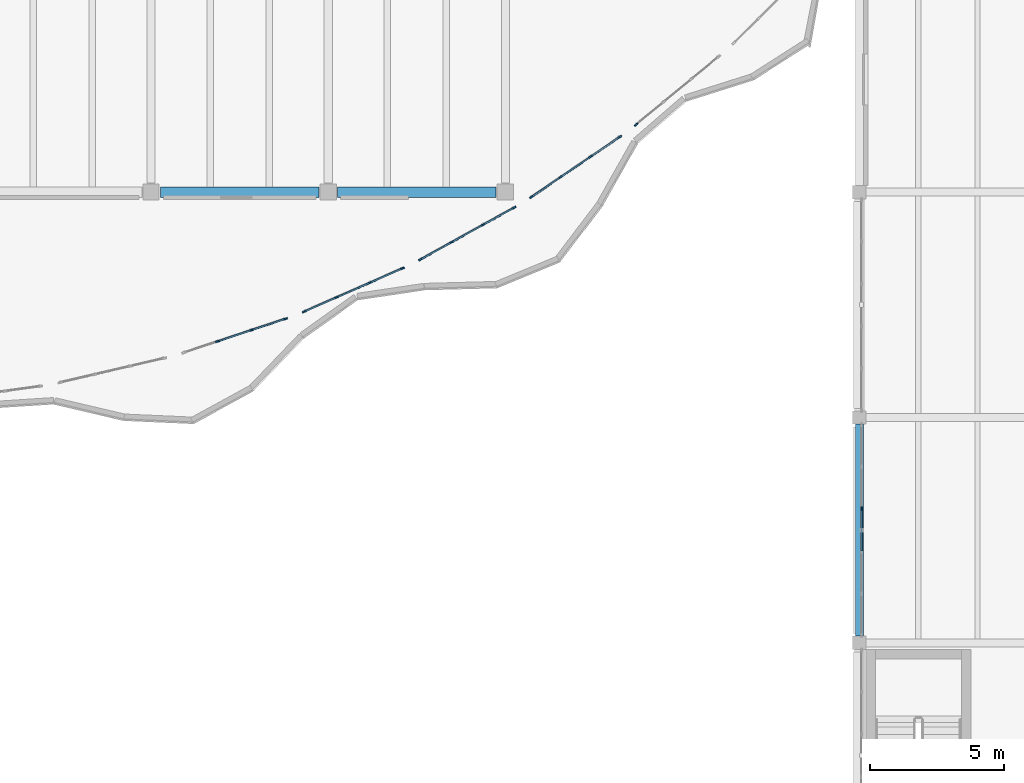
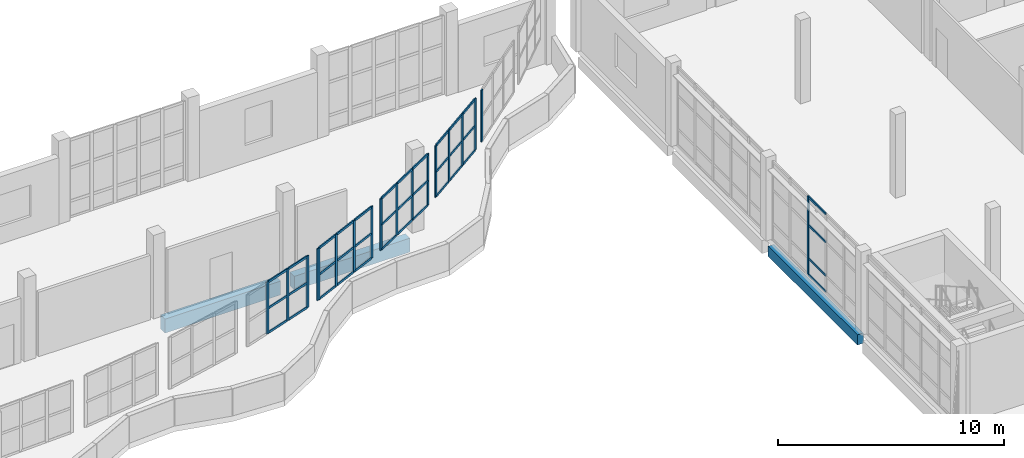
# One storey, part 27 of 76: 54 members, 3 beams, 6 elements without a shape of their own.
"""IFC4 building model written with IfcOpenShell, lengths in metres."""

from ifc_helpers import new_model, si_unit, direction, frame, origin, origin_2d, place, context, subcontext, project, spatial, rectangle, extrude, material, material_profile, profile_set, type_object, element, aggregate, save


model = new_model("IFC4")

# Units and contexts
model_context = context("Model", 3, precision=1e-05, world=origin(), true_north=direction((0.0, 1.0)))
body_context = subcontext(model_context, "Body", "Model", "MODEL_VIEW")
ifc_project = project(units=[si_unit("LENGTHUNIT", "METRE"), si_unit("AREAUNIT", "SQUARE_METRE"), si_unit("VOLUMEUNIT", "CUBIC_METRE"), si_unit("PLANEANGLEUNIT", "RADIAN"), si_unit("MASSUNIT", "GRAM", prefix="KILO")], contexts=[model_context])

# Site, building, storey
site_placement = place(None, origin())
site = spatial("IfcSite", under=ifc_project, at=site_placement, CompositionType="ELEMENT")
building_placement = place(site_placement, origin())
building = spatial("IfcBuilding", under=site, at=building_placement, Name="Qaldarim Faculty of Natural and Applied Sciences", CompositionType="ELEMENT")
storey_placement = place(building_placement, frame((0.0, 0.0, 9.89990234375)))
storey = spatial("IfcBuildingStorey", under=building, at=storey_placement, Name="L02", CompositionType="ELEMENT", Elevation=9.89990234375)

# Beams
ifc_material_1 = material(Name="Concrete C40/50", Category="concrete")
ifc_material_profile_1 = material_profile(ifc_material_1, rectangle(XDim=0.300048828125, YDim=0.550048828125, at=origin_2d()), Name="RC-B300x550")
ifc_profile_set_1 = profile_set([ifc_material_profile_1], Name="Concrete C40/50")
beam_type_1 = type_object("IfcBeamType", Name="FloorBeam-RC300x550", PredefinedType="BEAM", material=ifc_profile_set_1)
beam_placement = place(storey_placement, frame((151.800048828125, 92.64990234375, -0.574951171875), z_axis=(0.0, 1.0, 0.0), x_axis=(-1.0, 0.0, 0.0)))
element("IfcBeam", 1, at=beam_placement, inside=storey, type_object=beam_type_1, Name="Beam RC-B300x550 L01 X24/Y12-Y13", PredefinedType="BEAM", context=body_context, shape_type="SweptSolid", body=[
    extrude(rectangle(XDim=0.300048828125, YDim=0.550048828125, at=origin_2d()), origin(), (0.0, 0.0, 1.0), 7.900146484375),
])
ifc_material_2 = material(Name="Concrete C50/60", Category="concrete")
ifc_material_profile_2 = material_profile(ifc_material_2, rectangle(XDim=0.39990234375, YDim=0.75, at=origin_2d()), Name="RC-B400x750")
ifc_profile_set_2 = profile_set([ifc_material_profile_2], Name="Concrete C50/60")
beam_type_2 = type_object("IfcBeamType", Name="LabGirder-RC400x750", PredefinedType="BEAM", material=ifc_profile_set_2)
for number, where, z_axis, x_axis, name in (
    (2, (125.75, 109.199951171875, -0.6748046875), (1.0, 0.0, 0.0), (0.0, 1.0, 0.0), "Beam RC-B400x750 L01 X20-X21/Y14"),
    (3, (132.35009765625, 109.199951171875, -0.6748046875), (1.0, 0.0, 0.0), (0.0, 1.0, 0.0), "Beam RC-B400x750 L01 X21-X22/Y14"),
):
    element("IfcBeam", number, at=place(storey_placement, frame(where, z_axis=z_axis, x_axis=x_axis)), inside=storey, type_object=beam_type_2, Name=name, PredefinedType="BEAM", context=body_context, shape_type="SweptSolid", body=[
        extrude(rectangle(XDim=0.39990234375, YDim=0.75, at=origin_2d()), origin(), (0.0, 0.0, 1.0), 5.89990234375),
    ])

# Curtain wall, member
ifc_material_3 = material(Name="Anodised aluminium AW-6063", Category="aluminium")
curtain_wall_type_1 = type_object("IfcCurtainWallType", Name="CurtainWallSystem-M1600", PredefinedType="USERDEFINED", material=ifc_material_3)
curtain_wall_1_placement = place(storey_placement, origin())
curtain_wall_1 = element("IfcCurtainWall", 4, at=curtain_wall_1_placement, inside=storey, type_object=curtain_wall_type_1, Name="Curtain wall CW-L02-W-X24Y12", ObjectType="UNITISED FACADE", PredefinedType="USERDEFINED")
ifc_material_profile_3 = material_profile(ifc_material_3, rectangle(XDim=0.06005859375, YDim=0.14990234375, at=origin_2d()), Name="ALU-M60x150")
ifc_profile_set_3 = profile_set([ifc_material_profile_3], Name="Anodised aluminium AW-6063")
member_type_1 = type_object("IfcMemberType", Name="Mullion-ALU60x150", PredefinedType="MULLION", material=ifc_profile_set_3)
member_1_placement = place(storey_placement, frame((151.8798828125, 97.39111328125, 0.0), z_axis=(0.0, 0.0, 1.0), x_axis=(1.0, 0.0, 0.0)))
member_1 = element("IfcMember", 5, at=member_1_placement, type_object=member_type_1, Name="Mullion 3 of CW-L02-W-X24Y12", PredefinedType="MULLION", context=body_context, shape_type="SweptSolid", body=[
    extrude(rectangle(XDim=0.06005859375, YDim=0.14990234375, at=origin_2d()), origin(), (0.0, 0.0, 1.0), 4.239990234375),
])

# Curtain wall, members
curtain_wall_type_2 = type_object("IfcCurtainWallType", Name="CurtainWallSystem-M1400", PredefinedType="USERDEFINED", material=ifc_material_3)
curtain_wall_2_placement = place(storey_placement, origin())
curtain_wall_2 = element("IfcCurtainWall", 6, at=curtain_wall_2_placement, inside=storey, type_object=curtain_wall_type_2, Name="Curtain wall CW-V4ARC-L02-06", ObjectType="STICK CURTAIN WALL", PredefinedType="USERDEFINED")
member_2_placement = place(storey_placement, frame((127.873291015625, 103.63671875, 1.4501953125), z_axis=(0.0, 0.0, 1.0), x_axis=(-0.316592858196, 0.94856152259, 0.0)))
member_2 = element("IfcMember", 7, at=member_2_placement, type_object=member_type_1, Name="Mullion 2 of CW-V4ARC-L02-06", PredefinedType="MULLION", context=body_context, shape_type="SweptSolid", body=[
    extrude(rectangle(XDim=0.06005859375, YDim=0.14990234375, at=origin_2d()), origin(), (0.0, 0.0, 1.0), 2.789794921875),
])
member_3_placement = place(storey_placement, frame((129.151611328125, 104.063232421875, 1.4501953125), z_axis=(0.0, 0.0, 1.0), x_axis=(-0.316592858196, 0.94856152259, 0.0)))
member_3 = element("IfcMember", 8, at=member_3_placement, type_object=member_type_1, Name="Mullion 3 of CW-V4ARC-L02-06", PredefinedType="MULLION", context=body_context, shape_type="SweptSolid", body=[
    extrude(rectangle(XDim=0.06005859375, YDim=0.14990234375, at=origin_2d()), origin(), (0.0, 0.0, 1.0), 2.789794921875),
])
member_4_placement = place(storey_placement, frame((130.401611328125, 104.48046875, 1.4501953125), z_axis=(0.0, 0.0, 1.0), x_axis=(-0.316592858196, 0.94856152259, 0.0)))
member_4 = element("IfcMember", 9, at=member_4_placement, type_object=member_type_1, Name="Mullion 4 of CW-V4ARC-L02-06", PredefinedType="MULLION", context=body_context, shape_type="SweptSolid", body=[
    extrude(rectangle(XDim=0.06005859375, YDim=0.14990234375, at=origin_2d()), origin(), (0.0, 0.0, 1.0), 2.789794921875),
])

curtain_wall_3_placement = place(storey_placement, origin())
curtain_wall_3 = element("IfcCurtainWall", 10, at=curtain_wall_3_placement, inside=storey, type_object=curtain_wall_type_2, Name="Curtain wall CW-V4ARC-L02-08", ObjectType="STICK CURTAIN WALL", PredefinedType="USERDEFINED")
member_5_placement = place(storey_placement, frame((131.112548828125, 104.752197265625, 1.4501953125), z_axis=(0.0, 0.0, 1.0), x_axis=(-0.40269876371, 0.915332565632, 0.0)))
member_5 = element("IfcMember", 11, at=member_5_placement, type_object=member_type_1, Name="Mullion 1 of CW-V4ARC-L02-08", PredefinedType="MULLION", context=body_context, shape_type="SweptSolid", body=[
    extrude(rectangle(XDim=0.06005859375, YDim=0.14990234375, at=origin_2d()), origin(), (0.0, 0.0, 1.0), 2.789794921875),
])
member_6_placement = place(storey_placement, frame((132.320068359375, 105.283203125, 1.4501953125), z_axis=(0.0, 0.0, 1.0), x_axis=(-0.40269876371, 0.915332565632, 0.0)))
member_6 = element("IfcMember", 12, at=member_6_placement, type_object=member_type_1, Name="Mullion 2 of CW-V4ARC-L02-08", PredefinedType="MULLION", context=body_context, shape_type="SweptSolid", body=[
    extrude(rectangle(XDim=0.06005859375, YDim=0.14990234375, at=origin_2d()), origin(), (0.0, 0.0, 1.0), 2.789794921875),
])
member_7_placement = place(storey_placement, frame((133.554931640625, 105.82666015625, 1.4501953125), z_axis=(0.0, 0.0, 1.0), x_axis=(-0.40269876371, 0.915332565632, 0.0)))
member_7 = element("IfcMember", 13, at=member_7_placement, type_object=member_type_1, Name="Mullion 3 of CW-V4ARC-L02-08", PredefinedType="MULLION", context=body_context, shape_type="SweptSolid", body=[
    extrude(rectangle(XDim=0.06005859375, YDim=0.14990234375, at=origin_2d()), origin(), (0.0, 0.0, 1.0), 2.789794921875),
])
member_8_placement = place(storey_placement, frame((134.762451171875, 106.35791015625, 1.4501953125), z_axis=(0.0, 0.0, 1.0), x_axis=(-0.40269876371, 0.915332565632, 0.0)))
member_8 = element("IfcMember", 14, at=member_8_placement, type_object=member_type_1, Name="Mullion 4 of CW-V4ARC-L02-08", PredefinedType="MULLION", context=body_context, shape_type="SweptSolid", body=[
    extrude(rectangle(XDim=0.06005859375, YDim=0.14990234375, at=origin_2d()), origin(), (0.0, 0.0, 1.0), 2.789794921875),
])

curtain_wall_4_placement = place(storey_placement, origin())
curtain_wall_4 = element("IfcCurtainWall", 15, at=curtain_wall_4_placement, inside=storey, type_object=curtain_wall_type_2, Name="Curtain wall CW-V4ARC-L02-10", ObjectType="STICK CURTAIN WALL", PredefinedType="USERDEFINED")
member_9_placement = place(storey_placement, frame((135.441162109375, 106.694580078125, 1.4501953125), z_axis=(0.0, 0.0, 1.0), x_axis=(-0.484382142552, 0.874856525367, 0.0)))
member_9 = element("IfcMember", 16, at=member_9_placement, type_object=member_type_1, Name="Mullion 1 of CW-V4ARC-L02-10", PredefinedType="MULLION", context=body_context, shape_type="SweptSolid", body=[
    extrude(rectangle(XDim=0.06005859375, YDim=0.14990234375, at=origin_2d()), origin(), (0.0, 0.0, 1.0), 2.789794921875),
])
member_10_placement = place(storey_placement, frame((136.594970703125, 107.333251953125, 1.4501953125), z_axis=(0.0, 0.0, 1.0), x_axis=(-0.484382142552, 0.874856525367, 0.0)))
member_10 = element("IfcMember", 17, at=member_10_placement, type_object=member_type_1, Name="Mullion 2 of CW-V4ARC-L02-10", PredefinedType="MULLION", context=body_context, shape_type="SweptSolid", body=[
    extrude(rectangle(XDim=0.06005859375, YDim=0.14990234375, at=origin_2d()), origin(), (0.0, 0.0, 1.0), 2.789794921875),
])
member_11_placement = place(storey_placement, frame((137.77490234375, 107.98681640625, 1.4501953125), z_axis=(0.0, 0.0, 1.0), x_axis=(-0.484382142552, 0.874856525367, 0.0)))
member_11 = element("IfcMember", 18, at=member_11_placement, type_object=member_type_1, Name="Mullion 3 of CW-V4ARC-L02-10", PredefinedType="MULLION", context=body_context, shape_type="SweptSolid", body=[
    extrude(rectangle(XDim=0.06005859375, YDim=0.14990234375, at=origin_2d()), origin(), (0.0, 0.0, 1.0), 2.789794921875),
])
member_12_placement = place(storey_placement, frame((138.9287109375, 108.62548828125, 1.4501953125), z_axis=(0.0, 0.0, 1.0), x_axis=(-0.484382142552, 0.874856525367, 0.0)))
member_12 = element("IfcMember", 19, at=member_12_placement, type_object=member_type_1, Name="Mullion 4 of CW-V4ARC-L02-10", PredefinedType="MULLION", context=body_context, shape_type="SweptSolid", body=[
    extrude(rectangle(XDim=0.06005859375, YDim=0.14990234375, at=origin_2d()), origin(), (0.0, 0.0, 1.0), 2.789794921875),
])

curtain_wall_5_placement = place(storey_placement, origin())
curtain_wall_5 = element("IfcCurtainWall", 20, at=curtain_wall_5_placement, inside=storey, type_object=curtain_wall_type_2, Name="Curtain wall CW-V4ARC-L02-12", ObjectType="STICK CURTAIN WALL", PredefinedType="USERDEFINED")
member_13_placement = place(storey_placement, frame((139.57470703125, 109.02197265625, 1.4501953125), z_axis=(0.0, 0.0, 1.0), x_axis=(-0.562372049186, 0.826884319778, 0.0)))
member_13 = element("IfcMember", 21, at=member_13_placement, type_object=member_type_1, Name="Mullion 1 of CW-V4ARC-L02-12", PredefinedType="MULLION", context=body_context, shape_type="SweptSolid", body=[
    extrude(rectangle(XDim=0.06005859375, YDim=0.14990234375, at=origin_2d()), origin(), (0.0, 0.0, 1.0), 2.789794921875),
])
member_14_placement = place(storey_placement, frame((140.6650390625, 109.76318359375, 1.4501953125), z_axis=(0.0, 0.0, 1.0), x_axis=(-0.562372049186, 0.826884319778, 0.0)))
member_14 = element("IfcMember", 22, at=member_14_placement, type_object=member_type_1, Name="Mullion 2 of CW-V4ARC-L02-12", PredefinedType="MULLION", context=body_context, shape_type="SweptSolid", body=[
    extrude(rectangle(XDim=0.06005859375, YDim=0.14990234375, at=origin_2d()), origin(), (0.0, 0.0, 1.0), 2.789794921875),
])
member_15_placement = place(storey_placement, frame((141.780029296875, 110.521728515625, 1.4501953125), z_axis=(0.0, 0.0, 1.0), x_axis=(-0.562372049186, 0.826884319778, 0.0)))
member_15 = element("IfcMember", 23, at=member_15_placement, type_object=member_type_1, Name="Mullion 3 of CW-V4ARC-L02-12", PredefinedType="MULLION", context=body_context, shape_type="SweptSolid", body=[
    extrude(rectangle(XDim=0.06005859375, YDim=0.14990234375, at=origin_2d()), origin(), (0.0, 0.0, 1.0), 2.789794921875),
])
member_16_placement = place(storey_placement, frame((142.8701171875, 111.26318359375, 1.4501953125), z_axis=(0.0, 0.0, 1.0), x_axis=(-0.562372049186, 0.826884319778, 0.0)))
member_16 = element("IfcMember", 24, at=member_16_placement, type_object=member_type_1, Name="Mullion 4 of CW-V4ARC-L02-12", PredefinedType="MULLION", context=body_context, shape_type="SweptSolid", body=[
    extrude(rectangle(XDim=0.06005859375, YDim=0.14990234375, at=origin_2d()), origin(), (0.0, 0.0, 1.0), 2.789794921875),
])

# Curtain wall, member
curtain_wall_6_placement = place(storey_placement, origin())
curtain_wall_6 = element("IfcCurtainWall", 25, at=curtain_wall_6_placement, inside=storey, type_object=curtain_wall_type_2, Name="Curtain wall CW-V4ARC-L02-14", ObjectType="STICK CURTAIN WALL", PredefinedType="USERDEFINED")
member_17_placement = place(storey_placement, frame((143.478271484375, 111.718994140625, 1.4501953125), z_axis=(0.0, 0.0, 1.0), x_axis=(-0.635930067271, 0.771746687418, 0.0)))
member_17 = element("IfcMember", 26, at=member_17_placement, type_object=member_type_1, Name="Mullion 1 of CW-V4ARC-L02-14", PredefinedType="MULLION", context=body_context, shape_type="SweptSolid", body=[
    extrude(rectangle(XDim=0.06005859375, YDim=0.14990234375, at=origin_2d()), origin(), (0.0, 0.0, 1.0), 2.789794921875),
])
aggregate(curtain_wall_6, [member_17])

# Member
ifc_material_profile_4 = material_profile(ifc_material_3, rectangle(XDim=0.06005859375, YDim=0.1201171875, at=origin_2d()), Name="ALU-T60x120")
ifc_profile_set_4 = profile_set([ifc_material_profile_4], Name="Anodised aluminium AW-6063")
member_type_2 = type_object("IfcMemberType", Name="Transom-ALU60x120", PredefinedType="USERDEFINED", material=ifc_profile_set_4)
member_18_placement = place(storey_placement, frame((151.8798828125, 97.361083984375, 0.030029296875), z_axis=(0.0, -1.0, 0.0), x_axis=(1.0, 0.0, 0.0)))
member_18 = element("IfcMember", 27, at=member_18_placement, type_object=member_type_2, Name="Transom 3-1 of CW-L02-W-X24Y12", ObjectType="TRANSOM", PredefinedType="USERDEFINED", context=body_context, shape_type="SweptSolid", body=[
    extrude(rectangle(XDim=0.06005859375, YDim=0.1201171875, at=origin_2d()), origin(), (0.0, 0.0, 1.0), 1.52197265625),
])

member_19_placement = place(storey_placement, frame((151.8798828125, 97.361083984375, 0.900146484375), z_axis=(0.0, -1.0, 0.0), x_axis=(1.0, 0.0, 0.0)))
member_19 = element("IfcMember", 28, at=member_19_placement, type_object=member_type_2, Name="Transom 3-2 of CW-L02-W-X24Y12", ObjectType="TRANSOM", PredefinedType="USERDEFINED", context=body_context, shape_type="SweptSolid", body=[
    extrude(rectangle(XDim=0.06005859375, YDim=0.1201171875, at=origin_2d()), origin(), (0.0, 0.0, 1.0), 1.52197265625),
])

member_20_placement = place(storey_placement, frame((151.8798828125, 97.361083984375, 2.7001953125), z_axis=(0.0, -1.0, 0.0), x_axis=(1.0, 0.0, 0.0)))
member_20 = element("IfcMember", 29, at=member_20_placement, type_object=member_type_2, Name="Transom 3-3 of CW-L02-W-X24Y12", ObjectType="TRANSOM", PredefinedType="USERDEFINED", context=body_context, shape_type="SweptSolid", body=[
    extrude(rectangle(XDim=0.06005859375, YDim=0.1201171875, at=origin_2d()), origin(), (0.0, 0.0, 1.0), 1.52197265625),
])

member_21_placement = place(storey_placement, frame((151.8798828125, 97.361083984375, 4.210205078125), z_axis=(0.0, -1.0, 0.0), x_axis=(1.0, 0.0, 0.0)))
member_21 = element("IfcMember", 30, at=member_21_placement, type_object=member_type_2, Name="Transom 3-4 of CW-L02-W-X24Y12", ObjectType="TRANSOM", PredefinedType="USERDEFINED", context=body_context, shape_type="SweptSolid", body=[
    extrude(rectangle(XDim=0.06005859375, YDim=0.1201171875, at=origin_2d()), origin(), (0.0, 0.0, 1.0), 1.52197265625),
])

aggregate(curtain_wall_1, [member_1, member_18, member_19, member_20, member_21])

member_22_placement = place(storey_placement, frame((127.90185546875, 103.646240234375, 1.47998046875), z_axis=(0.948607427677, 0.316455286187, 0.0), x_axis=(-0.316455286187, 0.948607427677, 0.0)))
member_22 = element("IfcMember", 31, at=member_22_placement, type_object=member_type_2, Name="Transom 2-1 of CW-V4ARC-L02-06", ObjectType="TRANSOM", PredefinedType="USERDEFINED", context=body_context, shape_type="SweptSolid", body=[
    extrude(rectangle(XDim=0.06005859375, YDim=0.1201171875, at=origin_2d()), origin(), (0.0, 0.0, 1.0), 1.28759765625),
])

member_23_placement = place(storey_placement, frame((127.90185546875, 103.646240234375, 2.800048828125), z_axis=(0.948607427677, 0.316455286187, 0.0), x_axis=(-0.316455286187, 0.948607427677, 0.0)))
member_23 = element("IfcMember", 32, at=member_23_placement, type_object=member_type_2, Name="Transom 2-2 of CW-V4ARC-L02-06", ObjectType="TRANSOM", PredefinedType="USERDEFINED", context=body_context, shape_type="SweptSolid", body=[
    extrude(rectangle(XDim=0.06005859375, YDim=0.1201171875, at=origin_2d()), origin(), (0.0, 0.0, 1.0), 1.28759765625),
])

member_24_placement = place(storey_placement, frame((127.90185546875, 103.646240234375, 4.210205078125), z_axis=(0.948607427677, 0.316455286187, 0.0), x_axis=(-0.316455286187, 0.948607427677, 0.0)))
member_24 = element("IfcMember", 33, at=member_24_placement, type_object=member_type_2, Name="Transom 2-3 of CW-V4ARC-L02-06", ObjectType="TRANSOM", PredefinedType="USERDEFINED", context=body_context, shape_type="SweptSolid", body=[
    extrude(rectangle(XDim=0.06005859375, YDim=0.1201171875, at=origin_2d()), origin(), (0.0, 0.0, 1.0), 1.28759765625),
])

member_25_placement = place(storey_placement, frame((129.18017578125, 104.07275390625, 1.47998046875), z_axis=(0.948547315421, 0.31663542191, 0.0), x_axis=(-0.31663542191, 0.948547315421, 0.0)))
member_25 = element("IfcMember", 34, at=member_25_placement, type_object=member_type_2, Name="Transom 3-1 of CW-V4ARC-L02-06", ObjectType="TRANSOM", PredefinedType="USERDEFINED", context=body_context, shape_type="SweptSolid", body=[
    extrude(rectangle(XDim=0.06005859375, YDim=0.1201171875, at=origin_2d()), origin(), (0.0, 0.0, 1.0), 1.257568359375),
])

member_26_placement = place(storey_placement, frame((129.18017578125, 104.07275390625, 2.800048828125), z_axis=(0.948547315421, 0.31663542191, 0.0), x_axis=(-0.31663542191, 0.948547315421, 0.0)))
member_26 = element("IfcMember", 35, at=member_26_placement, type_object=member_type_2, Name="Transom 3-2 of CW-V4ARC-L02-06", ObjectType="TRANSOM", PredefinedType="USERDEFINED", context=body_context, shape_type="SweptSolid", body=[
    extrude(rectangle(XDim=0.06005859375, YDim=0.1201171875, at=origin_2d()), origin(), (0.0, 0.0, 1.0), 1.257568359375),
])

member_27_placement = place(storey_placement, frame((129.18017578125, 104.07275390625, 4.210205078125), z_axis=(0.948547315421, 0.31663542191, 0.0), x_axis=(-0.31663542191, 0.948547315421, 0.0)))
member_27 = element("IfcMember", 36, at=member_27_placement, type_object=member_type_2, Name="Transom 3-3 of CW-V4ARC-L02-06", ObjectType="TRANSOM", PredefinedType="USERDEFINED", context=body_context, shape_type="SweptSolid", body=[
    extrude(rectangle(XDim=0.06005859375, YDim=0.1201171875, at=origin_2d()), origin(), (0.0, 0.0, 1.0), 1.257568359375),
])

aggregate(curtain_wall_2, [member_2, member_3, member_4, member_22, member_23, member_24, member_25, member_26, member_27])

member_28_placement = place(storey_placement, frame((131.139892578125, 104.76416015625, 1.47998046875), z_axis=(0.915332184978, 0.402699628934, 0.0), x_axis=(-0.402699628934, 0.915332184978, 0.0)))
member_28 = element("IfcMember", 37, at=member_28_placement, type_object=member_type_2, Name="Transom 1-1 of CW-V4ARC-L02-08", ObjectType="TRANSOM", PredefinedType="USERDEFINED", context=body_context, shape_type="SweptSolid", body=[
    extrude(rectangle(XDim=0.06005859375, YDim=0.1201171875, at=origin_2d()), origin(), (0.0, 0.0, 1.0), 1.25927734375),
])

member_29_placement = place(storey_placement, frame((131.139892578125, 104.76416015625, 2.800048828125), z_axis=(0.915332184978, 0.402699628934, 0.0), x_axis=(-0.402699628934, 0.915332184978, 0.0)))
member_29 = element("IfcMember", 38, at=member_29_placement, type_object=member_type_2, Name="Transom 1-2 of CW-V4ARC-L02-08", ObjectType="TRANSOM", PredefinedType="USERDEFINED", context=body_context, shape_type="SweptSolid", body=[
    extrude(rectangle(XDim=0.06005859375, YDim=0.1201171875, at=origin_2d()), origin(), (0.0, 0.0, 1.0), 1.25927734375),
])

member_30_placement = place(storey_placement, frame((131.139892578125, 104.76416015625, 4.210205078125), z_axis=(0.915332184978, 0.402699628934, 0.0), x_axis=(-0.402699628934, 0.915332184978, 0.0)))
member_30 = element("IfcMember", 39, at=member_30_placement, type_object=member_type_2, Name="Transom 1-3 of CW-V4ARC-L02-08", ObjectType="TRANSOM", PredefinedType="USERDEFINED", context=body_context, shape_type="SweptSolid", body=[
    extrude(rectangle(XDim=0.06005859375, YDim=0.1201171875, at=origin_2d()), origin(), (0.0, 0.0, 1.0), 1.25927734375),
])

member_31_placement = place(storey_placement, frame((132.347412109375, 105.29541015625, 1.47998046875), z_axis=(0.915312240394, 0.402744959726, 0.0), x_axis=(-0.402744959726, 0.915312240394, 0.0)))
member_31 = element("IfcMember", 40, at=member_31_placement, type_object=member_type_2, Name="Transom 2-1 of CW-V4ARC-L02-08", ObjectType="TRANSOM", PredefinedType="USERDEFINED", context=body_context, shape_type="SweptSolid", body=[
    extrude(rectangle(XDim=0.06005859375, YDim=0.1201171875, at=origin_2d()), origin(), (0.0, 0.0, 1.0), 1.289306640625),
])

member_32_placement = place(storey_placement, frame((132.347412109375, 105.29541015625, 2.800048828125), z_axis=(0.915312240394, 0.402744959726, 0.0), x_axis=(-0.402744959726, 0.915312240394, 0.0)))
member_32 = element("IfcMember", 41, at=member_32_placement, type_object=member_type_2, Name="Transom 2-2 of CW-V4ARC-L02-08", ObjectType="TRANSOM", PredefinedType="USERDEFINED", context=body_context, shape_type="SweptSolid", body=[
    extrude(rectangle(XDim=0.06005859375, YDim=0.1201171875, at=origin_2d()), origin(), (0.0, 0.0, 1.0), 1.289306640625),
])

member_33_placement = place(storey_placement, frame((132.347412109375, 105.29541015625, 4.210205078125), z_axis=(0.915312240394, 0.402744959726, 0.0), x_axis=(-0.402744959726, 0.915312240394, 0.0)))
member_33 = element("IfcMember", 42, at=member_33_placement, type_object=member_type_2, Name="Transom 2-3 of CW-V4ARC-L02-08", ObjectType="TRANSOM", PredefinedType="USERDEFINED", context=body_context, shape_type="SweptSolid", body=[
    extrude(rectangle(XDim=0.06005859375, YDim=0.1201171875, at=origin_2d()), origin(), (0.0, 0.0, 1.0), 1.289306640625),
])

member_34_placement = place(storey_placement, frame((133.58251953125, 105.838623046875, 1.47998046875), z_axis=(0.915332184978, 0.402699628934, 0.0), x_axis=(-0.402699628934, 0.915332184978, 0.0)))
member_34 = element("IfcMember", 43, at=member_34_placement, type_object=member_type_2, Name="Transom 3-1 of CW-V4ARC-L02-08", ObjectType="TRANSOM", PredefinedType="USERDEFINED", context=body_context, shape_type="SweptSolid", body=[
    extrude(rectangle(XDim=0.06005859375, YDim=0.1201171875, at=origin_2d()), origin(), (0.0, 0.0, 1.0), 1.25927734375),
])

member_35_placement = place(storey_placement, frame((133.58251953125, 105.838623046875, 2.800048828125), z_axis=(0.915332184978, 0.402699628934, 0.0), x_axis=(-0.402699628934, 0.915332184978, 0.0)))
member_35 = element("IfcMember", 44, at=member_35_placement, type_object=member_type_2, Name="Transom 3-2 of CW-V4ARC-L02-08", ObjectType="TRANSOM", PredefinedType="USERDEFINED", context=body_context, shape_type="SweptSolid", body=[
    extrude(rectangle(XDim=0.06005859375, YDim=0.1201171875, at=origin_2d()), origin(), (0.0, 0.0, 1.0), 1.25927734375),
])

member_36_placement = place(storey_placement, frame((133.58251953125, 105.838623046875, 4.210205078125), z_axis=(0.915332184978, 0.402699628934, 0.0), x_axis=(-0.402699628934, 0.915332184978, 0.0)))
member_36 = element("IfcMember", 45, at=member_36_placement, type_object=member_type_2, Name="Transom 3-3 of CW-V4ARC-L02-08", ObjectType="TRANSOM", PredefinedType="USERDEFINED", context=body_context, shape_type="SweptSolid", body=[
    extrude(rectangle(XDim=0.06005859375, YDim=0.1201171875, at=origin_2d()), origin(), (0.0, 0.0, 1.0), 1.25927734375),
])

aggregate(curtain_wall_3, [member_5, member_6, member_7, member_8, member_28, member_29, member_30, member_31, member_32, member_33, member_34, member_35, member_36])

member_37_placement = place(storey_placement, frame((135.467529296875, 106.708984375, 1.47998046875), z_axis=(0.874824232123, 0.484440463721, 0.0), x_axis=(-0.484440463721, 0.874824232123, 0.0)))
member_37 = element("IfcMember", 46, at=member_37_placement, type_object=member_type_2, Name="Transom 1-1 of CW-V4ARC-L02-10", ObjectType="TRANSOM", PredefinedType="USERDEFINED", context=body_context, shape_type="SweptSolid", body=[
    extrude(rectangle(XDim=0.06005859375, YDim=0.1201171875, at=origin_2d()), origin(), (0.0, 0.0, 1.0), 1.2587890625),
])

member_38_placement = place(storey_placement, frame((135.467529296875, 106.708984375, 2.800048828125), z_axis=(0.874824232123, 0.484440463721, 0.0), x_axis=(-0.484440463721, 0.874824232123, 0.0)))
member_38 = element("IfcMember", 47, at=member_38_placement, type_object=member_type_2, Name="Transom 1-2 of CW-V4ARC-L02-10", ObjectType="TRANSOM", PredefinedType="USERDEFINED", context=body_context, shape_type="SweptSolid", body=[
    extrude(rectangle(XDim=0.06005859375, YDim=0.1201171875, at=origin_2d()), origin(), (0.0, 0.0, 1.0), 1.2587890625),
])

member_39_placement = place(storey_placement, frame((135.467529296875, 106.708984375, 4.210205078125), z_axis=(0.874824232123, 0.484440463721, 0.0), x_axis=(-0.484440463721, 0.874824232123, 0.0)))
member_39 = element("IfcMember", 48, at=member_39_placement, type_object=member_type_2, Name="Transom 1-3 of CW-V4ARC-L02-10", ObjectType="TRANSOM", PredefinedType="USERDEFINED", context=body_context, shape_type="SweptSolid", body=[
    extrude(rectangle(XDim=0.06005859375, YDim=0.1201171875, at=origin_2d()), origin(), (0.0, 0.0, 1.0), 1.2587890625),
])

member_40_placement = place(storey_placement, frame((136.62109375, 107.347900390625, 1.47998046875), z_axis=(0.874888908456, 0.484323649908, 0.0), x_axis=(-0.484323649908, 0.874888908456, 0.0)))
member_40 = element("IfcMember", 49, at=member_40_placement, type_object=member_type_2, Name="Transom 2-1 of CW-V4ARC-L02-10", ObjectType="TRANSOM", PredefinedType="USERDEFINED", context=body_context, shape_type="SweptSolid", body=[
    extrude(rectangle(XDim=0.06005859375, YDim=0.1201171875, at=origin_2d()), origin(), (0.0, 0.0, 1.0), 1.2890625),
])

member_41_placement = place(storey_placement, frame((136.62109375, 107.347900390625, 2.800048828125), z_axis=(0.874888908456, 0.484323649908, 0.0), x_axis=(-0.484323649908, 0.874888908456, 0.0)))
member_41 = element("IfcMember", 50, at=member_41_placement, type_object=member_type_2, Name="Transom 2-2 of CW-V4ARC-L02-10", ObjectType="TRANSOM", PredefinedType="USERDEFINED", context=body_context, shape_type="SweptSolid", body=[
    extrude(rectangle(XDim=0.06005859375, YDim=0.1201171875, at=origin_2d()), origin(), (0.0, 0.0, 1.0), 1.2890625),
])

member_42_placement = place(storey_placement, frame((136.62109375, 107.347900390625, 4.210205078125), z_axis=(0.874888908456, 0.484323649908, 0.0), x_axis=(-0.484323649908, 0.874888908456, 0.0)))
member_42 = element("IfcMember", 51, at=member_42_placement, type_object=member_type_2, Name="Transom 2-3 of CW-V4ARC-L02-10", ObjectType="TRANSOM", PredefinedType="USERDEFINED", context=body_context, shape_type="SweptSolid", body=[
    extrude(rectangle(XDim=0.06005859375, YDim=0.1201171875, at=origin_2d()), origin(), (0.0, 0.0, 1.0), 1.2890625),
])

member_43_placement = place(storey_placement, frame((137.80126953125, 108.001220703125, 1.47998046875), z_axis=(0.874906415399, 0.484292023776, 0.0), x_axis=(-0.484292023776, 0.874906415399, 0.0)))
member_43 = element("IfcMember", 52, at=member_43_placement, type_object=member_type_2, Name="Transom 3-1 of CW-V4ARC-L02-10", ObjectType="TRANSOM", PredefinedType="USERDEFINED", context=body_context, shape_type="SweptSolid", body=[
    extrude(rectangle(XDim=0.06005859375, YDim=0.1201171875, at=origin_2d()), origin(), (0.0, 0.0, 1.0), 1.2587890625),
])

member_44_placement = place(storey_placement, frame((137.80126953125, 108.001220703125, 2.800048828125), z_axis=(0.874906415399, 0.484292023776, 0.0), x_axis=(-0.484292023776, 0.874906415399, 0.0)))
member_44 = element("IfcMember", 53, at=member_44_placement, type_object=member_type_2, Name="Transom 3-2 of CW-V4ARC-L02-10", ObjectType="TRANSOM", PredefinedType="USERDEFINED", context=body_context, shape_type="SweptSolid", body=[
    extrude(rectangle(XDim=0.06005859375, YDim=0.1201171875, at=origin_2d()), origin(), (0.0, 0.0, 1.0), 1.2587890625),
])

member_45_placement = place(storey_placement, frame((137.80126953125, 108.001220703125, 4.210205078125), z_axis=(0.874906415399, 0.484292023776, 0.0), x_axis=(-0.484292023776, 0.874906415399, 0.0)))
member_45 = element("IfcMember", 54, at=member_45_placement, type_object=member_type_2, Name="Transom 3-3 of CW-V4ARC-L02-10", ObjectType="TRANSOM", PredefinedType="USERDEFINED", context=body_context, shape_type="SweptSolid", body=[
    extrude(rectangle(XDim=0.06005859375, YDim=0.1201171875, at=origin_2d()), origin(), (0.0, 0.0, 1.0), 1.2587890625),
])

aggregate(curtain_wall_4, [member_9, member_10, member_11, member_12, member_37, member_38, member_39, member_40, member_41, member_42, member_43, member_44, member_45])

member_46_placement = place(storey_placement, frame((139.599609375, 109.038818359375, 1.47998046875), z_axis=(0.826850717862, 0.562421452624, 0.0), x_axis=(-0.562421452624, 0.826850717862, 0.0)))
member_46 = element("IfcMember", 55, at=member_46_placement, type_object=member_type_2, Name="Transom 1-1 of CW-V4ARC-L02-12", ObjectType="TRANSOM", PredefinedType="USERDEFINED", context=body_context, shape_type="SweptSolid", body=[
    extrude(rectangle(XDim=0.06005859375, YDim=0.1201171875, at=origin_2d()), origin(), (0.0, 0.0, 1.0), 1.25830078125),
])

member_47_placement = place(storey_placement, frame((139.599609375, 109.038818359375, 2.800048828125), z_axis=(0.826850717862, 0.562421452624, 0.0), x_axis=(-0.562421452624, 0.826850717862, 0.0)))
member_47 = element("IfcMember", 56, at=member_47_placement, type_object=member_type_2, Name="Transom 1-2 of CW-V4ARC-L02-12", ObjectType="TRANSOM", PredefinedType="USERDEFINED", context=body_context, shape_type="SweptSolid", body=[
    extrude(rectangle(XDim=0.06005859375, YDim=0.1201171875, at=origin_2d()), origin(), (0.0, 0.0, 1.0), 1.25830078125),
])

member_48_placement = place(storey_placement, frame((139.599609375, 109.038818359375, 4.210205078125), z_axis=(0.826850717862, 0.562421452624, 0.0), x_axis=(-0.562421452624, 0.826850717862, 0.0)))
member_48 = element("IfcMember", 57, at=member_48_placement, type_object=member_type_2, Name="Transom 1-3 of CW-V4ARC-L02-12", ObjectType="TRANSOM", PredefinedType="USERDEFINED", context=body_context, shape_type="SweptSolid", body=[
    extrude(rectangle(XDim=0.06005859375, YDim=0.1201171875, at=origin_2d()), origin(), (0.0, 0.0, 1.0), 1.25830078125),
])

member_49_placement = place(storey_placement, frame((140.689697265625, 109.7802734375, 1.47998046875), z_axis=(0.826884209123, 0.562372211887, 0.0), x_axis=(-0.562372211887, 0.826884209123, 0.0)))
member_49 = element("IfcMember", 58, at=member_49_placement, type_object=member_type_2, Name="Transom 2-1 of CW-V4ARC-L02-12", ObjectType="TRANSOM", PredefinedType="USERDEFINED", context=body_context, shape_type="SweptSolid", body=[
    extrude(rectangle(XDim=0.06005859375, YDim=0.1201171875, at=origin_2d()), origin(), (0.0, 0.0, 1.0), 1.28857421875),
])

member_50_placement = place(storey_placement, frame((140.689697265625, 109.7802734375, 2.800048828125), z_axis=(0.826884209123, 0.562372211887, 0.0), x_axis=(-0.562372211887, 0.826884209123, 0.0)))
member_50 = element("IfcMember", 59, at=member_50_placement, type_object=member_type_2, Name="Transom 2-2 of CW-V4ARC-L02-12", ObjectType="TRANSOM", PredefinedType="USERDEFINED", context=body_context, shape_type="SweptSolid", body=[
    extrude(rectangle(XDim=0.06005859375, YDim=0.1201171875, at=origin_2d()), origin(), (0.0, 0.0, 1.0), 1.28857421875),
])

member_51_placement = place(storey_placement, frame((140.689697265625, 109.7802734375, 4.210205078125), z_axis=(0.826884209123, 0.562372211887, 0.0), x_axis=(-0.562372211887, 0.826884209123, 0.0)))
member_51 = element("IfcMember", 60, at=member_51_placement, type_object=member_type_2, Name="Transom 2-3 of CW-V4ARC-L02-12", ObjectType="TRANSOM", PredefinedType="USERDEFINED", context=body_context, shape_type="SweptSolid", body=[
    extrude(rectangle(XDim=0.06005859375, YDim=0.1201171875, at=origin_2d()), origin(), (0.0, 0.0, 1.0), 1.28857421875),
])

member_52_placement = place(storey_placement, frame((141.8046875, 110.53857421875, 1.47998046875), z_axis=(0.826912070455, 0.562331243784, 0.0), x_axis=(-0.562331243784, 0.826912070455, 0.0)))
member_52 = element("IfcMember", 61, at=member_52_placement, type_object=member_type_2, Name="Transom 3-1 of CW-V4ARC-L02-12", ObjectType="TRANSOM", PredefinedType="USERDEFINED", context=body_context, shape_type="SweptSolid", body=[
    extrude(rectangle(XDim=0.06005859375, YDim=0.1201171875, at=origin_2d()), origin(), (0.0, 0.0, 1.0), 1.258544921875),
])

member_53_placement = place(storey_placement, frame((141.8046875, 110.53857421875, 2.800048828125), z_axis=(0.826912070455, 0.562331243784, 0.0), x_axis=(-0.562331243784, 0.826912070455, 0.0)))
member_53 = element("IfcMember", 62, at=member_53_placement, type_object=member_type_2, Name="Transom 3-2 of CW-V4ARC-L02-12", ObjectType="TRANSOM", PredefinedType="USERDEFINED", context=body_context, shape_type="SweptSolid", body=[
    extrude(rectangle(XDim=0.06005859375, YDim=0.1201171875, at=origin_2d()), origin(), (0.0, 0.0, 1.0), 1.258544921875),
])

member_54_placement = place(storey_placement, frame((141.8046875, 110.53857421875, 4.210205078125), z_axis=(0.826912070455, 0.562331243784, 0.0), x_axis=(-0.562331243784, 0.826912070455, 0.0)))
member_54 = element("IfcMember", 63, at=member_54_placement, type_object=member_type_2, Name="Transom 3-3 of CW-V4ARC-L02-12", ObjectType="TRANSOM", PredefinedType="USERDEFINED", context=body_context, shape_type="SweptSolid", body=[
    extrude(rectangle(XDim=0.06005859375, YDim=0.1201171875, at=origin_2d()), origin(), (0.0, 0.0, 1.0), 1.258544921875),
])

aggregate(curtain_wall_5, [member_13, member_14, member_15, member_16, member_46, member_47, member_48, member_49, member_50, member_51, member_52, member_53, member_54])

save(model, "model.ifc")
